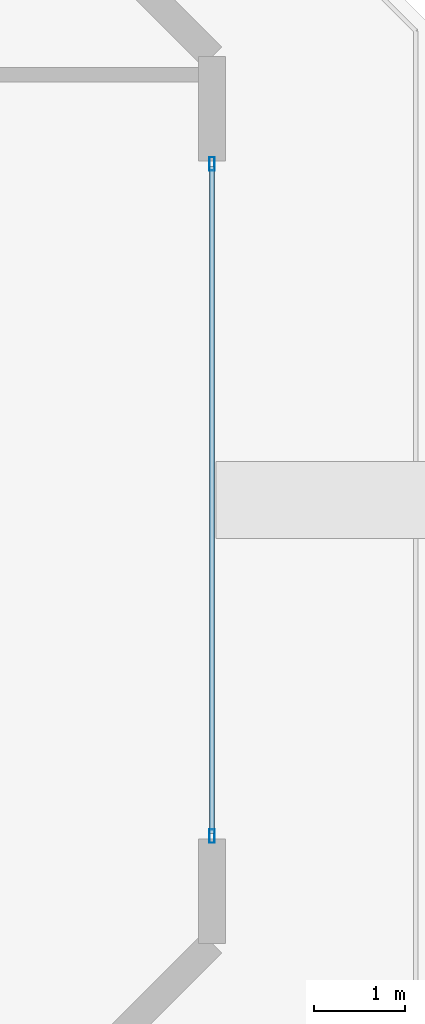
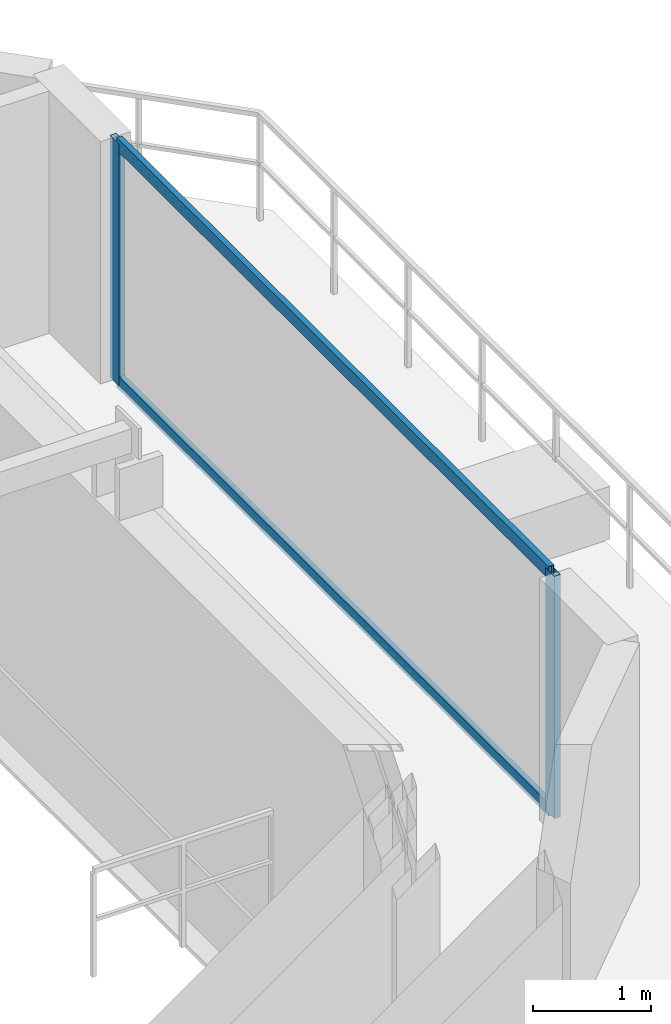
# One storey, part 7 of 9: 4 members, 1 element without a shape of its own.
"""IFC4 building model written with IfcOpenShell, lengths in metres."""

import ifcopenshell
import ifcopenshell.guid

model = None  # the IFC model being written
_history = None  # IfcOwnerHistory: only IFC2X3 demands one
_inside = {}  # id of a spatial element -> (the spatial element, [elements in it])
_under = {}  # id of a project, library or spatial element -> (it, [spatial elements below it])
_declared = {}  # id of a project -> (the project, [libraries it declares])
_typed = {}  # id of a type object -> (the type object, [elements of that type])
_made_of = {}  # id of a material, layer set ... -> (it, [elements and type objects made of it])


def new_model(schema):
    """Start an empty IFC model of exactly this schema.

    Asked for "IFC4X3", IfcOpenShell would pick the latest addendum, in which some entities
    have other attributes; the version numbers below select the first issue.
    IFC2X3 requires an IfcOwnerHistory on every rooted entity: one is made here for all.
    """
    global model, _history
    if schema == "IFC4X3":
        model = ifcopenshell.file(schema_version=(4, 3, 0, 0))
    else:
        model = ifcopenshell.file(schema=schema)
    _inside.clear()
    _under.clear()
    _declared.clear()
    _typed.clear()
    _made_of.clear()
    _history = None
    if model.schema == "IFC2X3":
        org = make("IfcOrganization", Name="unknown")
        user = make(
            "IfcPersonAndOrganization",
            ThePerson=make("IfcPerson", FamilyName="unknown"),
            TheOrganization=org,
        )
        app = make(
            "IfcApplication",
            ApplicationDeveloper=org,
            Version="unknown",
            ApplicationFullName="unknown",
            ApplicationIdentifier="unknown",
        )
        _history = make(
            "IfcOwnerHistory",
            OwningUser=user,
            OwningApplication=app,
            ChangeAction="ADDED",
            CreationDate=0,
        )
    return model


def make(cls, **values):
    """One entity of the class cls with the attributes given. An attribute that is None is left unset."""
    return model.create_entity(
        cls, **{name: value for name, value in values.items() if value is not None}
    )


def rooted(cls, **values):
    """An entity with a GlobalId (a new one), such as an element, a storey or a relation."""
    return make(cls, GlobalId=ifcopenshell.guid.new(), OwnerHistory=_history, **values)


def si_unit(unit_type, name, prefix=None):
    """IfcSIUnit, for example si_unit("LENGTHUNIT", "METRE", prefix="MILLI")."""
    return make("IfcSIUnit", UnitType=unit_type, Prefix=prefix, Name=name)


def assignment(units):
    """IfcUnitAssignment: the units of a project."""
    return None if units is None else make("IfcUnitAssignment", Units=units)


def point(xyz):
    """IfcCartesianPoint."""
    return None if xyz is None else make("IfcCartesianPoint", Coordinates=xyz)


def direction(xyz):
    """IfcDirection."""
    return None if xyz is None else make("IfcDirection", DirectionRatios=xyz)


def frame(location, z_axis=None, x_axis=None):
    """IfcAxis2Placement3D, a coordinate frame: its origin and axes. An axis left out is left unset."""
    return make(
        "IfcAxis2Placement3D",
        Location=point(location),
        Axis=direction(z_axis),
        RefDirection=direction(x_axis),
    )


def frame_2d(location, x_axis=None):
    """IfcAxis2Placement2D, a coordinate frame in the plane: its origin and x axis."""
    return make(
        "IfcAxis2Placement2D", Location=point(location), RefDirection=direction(x_axis)
    )


def origin():
    """The frame at (0, 0, 0) with its axes left unset."""
    return frame((0.0, 0.0, 0.0))


def origin_2d():
    """The frame at (0, 0) in the plane with its x axis left unset."""
    return frame_2d((0.0, 0.0))


def place(relative_to, where):
    """IfcLocalPlacement: puts the frame where relative to a parent placement (None: the world)."""
    return make(
        "IfcLocalPlacement", PlacementRelTo=relative_to, RelativePlacement=where
    )


def context(
    kind, dimensions, precision=None, world=None, true_north=None, identifier=None
):
    """IfcGeometricRepresentationContext, for example the 3D "Model" context."""
    return make(
        "IfcGeometricRepresentationContext",
        ContextIdentifier=identifier,
        ContextType=kind,
        CoordinateSpaceDimension=dimensions,
        Precision=precision,
        WorldCoordinateSystem=world,
        TrueNorth=true_north,
    )


def subcontext(parent, identifier, kind, view, scale=None):
    """IfcGeometricRepresentationSubContext, for example "Body" below "Model"."""
    return make(
        "IfcGeometricRepresentationSubContext",
        ContextIdentifier=identifier,
        ContextType=kind,
        ParentContext=parent,
        TargetScale=scale,
        TargetView=view,
    )


def project(units=None, contexts=None):
    """IfcProject with its units and contexts."""
    return rooted(
        "IfcProject",
        Name="project",
        RepresentationContexts=contexts,
        UnitsInContext=assignment(units),
    )


def spatial(cls, under=None, at=None, **own):
    """A site, building, storey or space (cls), placed at a placement, below another one or the project."""
    s = rooted(cls, ObjectPlacement=at, **own)
    if under is not None:
        _under.setdefault(under.id(), (under, []))[1].append(s)
    return s


def profile(cls, at=None, kind="AREA", **sizes):
    """A parametric profile (cls). Its sizes go by their IFC names, for example OverallWidth=200.0."""
    return make(cls, ProfileType=kind, Position=at, **sizes)


def hollow_rectangle(**sizes):
    """IfcRectangleHollowProfileDef."""
    return profile("IfcRectangleHollowProfileDef", **sizes)


def extrude(swept, where, along, depth):
    """IfcExtrudedAreaSolid: the profile swept, set in the frame where, extruded along a direction by depth."""
    return make(
        "IfcExtrudedAreaSolid",
        SweptArea=swept,
        Position=where,
        ExtrudedDirection=direction(along),
        Depth=depth,
    )


def shape(context_of_items, identifier, shape_type, items):
    """IfcShapeRepresentation: the items that make up one representation, for example the "Body"."""
    return make(
        "IfcShapeRepresentation",
        ContextOfItems=context_of_items,
        RepresentationIdentifier=identifier,
        RepresentationType=shape_type,
        Items=items,
    )


def material(Name=None, Category=None):
    """IfcMaterial."""
    return make("IfcMaterial", Name=Name, Category=Category)


def layer(
    of_material, thickness, ventilated=None, Name=None, Category=None, Priority=None
):
    """IfcMaterialLayer: one layer of a wall or slab, of a material (None: an air gap)."""
    return make(
        "IfcMaterialLayer",
        Material=of_material,
        LayerThickness=thickness,
        IsVentilated=ventilated,
        Name=Name,
        Category=Category,
        Priority=Priority,
    )


def layer_set(layers, Name=None):
    """IfcMaterialLayerSet."""
    return make("IfcMaterialLayerSet", MaterialLayers=layers, LayerSetName=Name)


def material_profile(
    of_material, cross_section, Name=None, Category=None, Priority=None
):
    """IfcMaterialProfile: a cross section and its material."""
    return make(
        "IfcMaterialProfile",
        Name=Name,
        Material=of_material,
        Profile=cross_section,
        Priority=Priority,
        Category=Category,
    )


def profile_set(profiles, Name=None, composite=None):
    """IfcMaterialProfileSet."""
    return make(
        "IfcMaterialProfileSet",
        Name=Name,
        MaterialProfiles=profiles,
        CompositeProfile=composite,
    )


def made_of(thing, what):
    """Note that an element or type object is made of a material, layer set ...; save() writes the relation."""
    if what is not None:
        _made_of.setdefault(what.id(), (what, []))[1].append(thing)
    return thing


def type_object(cls, material=None, **own):
    """A type object (cls), such as IfcWallType, which elements share."""
    return made_of(rooted(cls, **own), material)


def element(
    cls,
    number,
    at=None,
    inside=None,
    cuts=None,
    type_object=None,
    material=None,
    context=None,
    identifier="Body",
    shape_type=None,
    held_by="IfcProductDefinitionShape",
    body=None,
    shapes=None,
    **own,
):
    """One element of the class cls, such as IfcWall. Its Tag is "e" and its number.

    at: its placement. inside: the storey or other place that contains it. cuts: it is an
    opening in that element (IfcRelVoidsElement). A single representation is given by context,
    identifier, shape_type and body (its items); several are given by shapes. held_by: the class
    of the entity that holds the representations. save() writes the other relations.
    """
    e = rooted(cls, Tag="e%d" % number, ObjectPlacement=at, **own)
    if body is not None:
        shapes = [shape(context, identifier, shape_type, body)]
    if shapes is not None:
        e.Representation = make(held_by, Representations=shapes)
    if inside is not None:
        _inside.setdefault(inside.id(), (inside, []))[1].append(e)
    if cuts is not None:
        rooted(
            "IfcRelVoidsElement", RelatingBuildingElement=cuts, RelatedOpeningElement=e
        )
    if type_object is not None:
        _typed.setdefault(type_object.id(), (type_object, []))[1].append(e)
    return made_of(e, material)


def aggregate(whole, parts):
    """IfcRelAggregates: a whole, such as a stair, and the parts it consists of."""
    return rooted("IfcRelAggregates", RelatingObject=whole, RelatedObjects=parts)


def save(model, path):
    """Write the relations noted so far, then the file.

    IfcRelAggregates (storeys below a building ...), IfcRelContainedInSpatialStructure (elements
    in a storey), IfcRelDefinesByType, IfcRelAssociatesMaterial and IfcRelDeclares: one each for
    every whole, place, type object, material and project.
    """
    for whole, parts in _under.values():
        aggregate(whole, parts)
    for where, things in _inside.values():
        rooted(
            "IfcRelContainedInSpatialStructure",
            RelatedElements=things,
            RelatingStructure=where,
        )
    for kind, things in _typed.values():
        rooted("IfcRelDefinesByType", RelatedObjects=things, RelatingType=kind)
    for what, things in _made_of.values():
        rooted("IfcRelAssociatesMaterial", RelatedObjects=things, RelatingMaterial=what)
    for by, libraries in _declared.values():
        rooted("IfcRelDeclares", RelatingContext=by, RelatedDefinitions=libraries)
    model.write(path)


model = new_model("IFC4")

# Units and contexts
model_context = context("Model", 3, precision=1e-05, world=origin(), true_north=direction((0.0, 1.0)))
body_context = subcontext(model_context, "Body", "Model", "MODEL_VIEW")
ifc_project = project(units=[si_unit("LENGTHUNIT", "METRE"), si_unit("AREAUNIT", "SQUARE_METRE"), si_unit("VOLUMEUNIT", "CUBIC_METRE"), si_unit("PLANEANGLEUNIT", "RADIAN"), si_unit("MASSUNIT", "GRAM", prefix="KILO")], contexts=[model_context])

# Site, building, storey
site_placement = place(None, origin())
site = spatial("IfcSite", under=ifc_project, at=site_placement, CompositionType="ELEMENT")
building_placement = place(site_placement, origin())
building = spatial("IfcBuilding", under=site, at=building_placement, Name="Zuhayl Quay Hotel", CompositionType="ELEMENT")
storey_placement = place(building_placement, frame((0.0, 0.0, 316.25)))
storey = spatial("IfcBuildingStorey", under=building, at=storey_placement, Name="Crown 6", CompositionType="ELEMENT", Elevation=316.25)

# Curtain wall, members
ifc_material_1 = material(Name="Anodised Aluminium 6063-T6", Category="aluminium")
ifc_layer = layer(ifc_material_1, 0.159912109375, Name="Anodised Aluminium 6063-T6", Category="aluminium")
ifc_layer_set = layer_set([ifc_layer], Name="Anodised Aluminium 6063-T6")
curtain_wall_type = type_object("IfcCurtainWallType", Name="CW_SYS_CRN", PredefinedType="USERDEFINED", material=ifc_layer_set)
curtain_wall_placement = place(storey_placement, origin())
curtain_wall = element("IfcCurtainWall", 1, at=curtain_wall_placement, inside=storey, type_object=curtain_wall_type, Name="Crown 6 Curtain Wall ENV_CR6_E5_CW1", ObjectType="UNITISED CURTAIN WALL", PredefinedType="USERDEFINED")
ifc_material_2 = material(Name="Black-anodised aluminium 6063-T6", Category="aluminium")
ifc_material_profile_1 = material_profile(ifc_material_2, hollow_rectangle(XDim=0.06005859375, YDim=0.14990234375, WallThickness=0.00341796875, at=origin_2d()), Name="ALU150X60")
ifc_profile_set_1 = profile_set([ifc_material_profile_1], Name="Black-anodised aluminium 6063-T6")
member_type_1 = type_object("IfcMemberType", Name="MB_CW_MUL_150", PredefinedType="MULLION", material=ifc_profile_set_1)
member_1_placement = place(storey_placement, frame((4.199951171875, 34.469970703125, 0.0), z_axis=(0.0, 0.0, 1.0), x_axis=(1.0, 0.0, 0.0)))
member_1 = element("IfcMember", 2, at=member_1_placement, type_object=member_type_1, Name="CW-CRN mullion 1", PredefinedType="MULLION", context=body_context, shape_type="SweptSolid", body=[
    extrude(hollow_rectangle(XDim=0.06005859375, YDim=0.14990234375, WallThickness=0.00341796875, at=origin_2d()), origin(), (0.0, 0.0, 1.0), 2.510009765625),
])
member_2_placement = place(storey_placement, frame((4.199951171875, 27.080078125, 0.0), z_axis=(0.0, 0.0, 1.0), x_axis=(1.0, 0.0, 0.0)))
member_2 = element("IfcMember", 3, at=member_2_placement, type_object=member_type_1, Name="CW-CRN mullion 2", PredefinedType="MULLION", context=body_context, shape_type="SweptSolid", body=[
    extrude(hollow_rectangle(XDim=0.06005859375, YDim=0.14990234375, WallThickness=0.00341796875, at=origin_2d()), origin(), (0.0, 0.0, 1.0), 2.510009765625),
])
ifc_material_profile_2 = material_profile(ifc_material_2, hollow_rectangle(XDim=0.054931640625, YDim=0.1298828125, WallThickness=0.0029296875, at=origin_2d()), Name="ALU130X55")
ifc_profile_set_2 = profile_set([ifc_material_profile_2], Name="Black-anodised aluminium 6063-T6")
member_type_2 = type_object("IfcMemberType", Name="MB_CW_TRN_130", PredefinedType="USERDEFINED", material=ifc_profile_set_2)
member_3_placement = place(storey_placement, frame((4.199951171875, 34.43994140625, 0.027587890625), z_axis=(0.0, -1.0, 0.0), x_axis=(1.0, 0.0, 0.0)))
member_3 = element("IfcMember", 4, at=member_3_placement, type_object=member_type_2, Name="CW-CRN transom 1.1", ObjectType="TRANSOM", PredefinedType="USERDEFINED", context=body_context, shape_type="SweptSolid", body=[
    extrude(hollow_rectangle(XDim=0.054931640625, YDim=0.1298828125, WallThickness=0.0029296875, at=origin_2d()), origin(), (0.0, 0.0, 1.0), 7.329833984375),
])
member_4_placement = place(storey_placement, frame((4.199951171875, 34.43994140625, 2.482421875), z_axis=(0.0, -1.0, 0.0), x_axis=(1.0, 0.0, 0.0)))
member_4 = element("IfcMember", 5, at=member_4_placement, type_object=member_type_2, Name="CW-CRN transom 1.2", ObjectType="TRANSOM", PredefinedType="USERDEFINED", context=body_context, shape_type="SweptSolid", body=[
    extrude(hollow_rectangle(XDim=0.054931640625, YDim=0.1298828125, WallThickness=0.0029296875, at=origin_2d()), origin(), (0.0, 0.0, 1.0), 7.329833984375),
])
aggregate(curtain_wall, [member_1, member_2, member_3, member_4])

save(model, "model.ifc")
